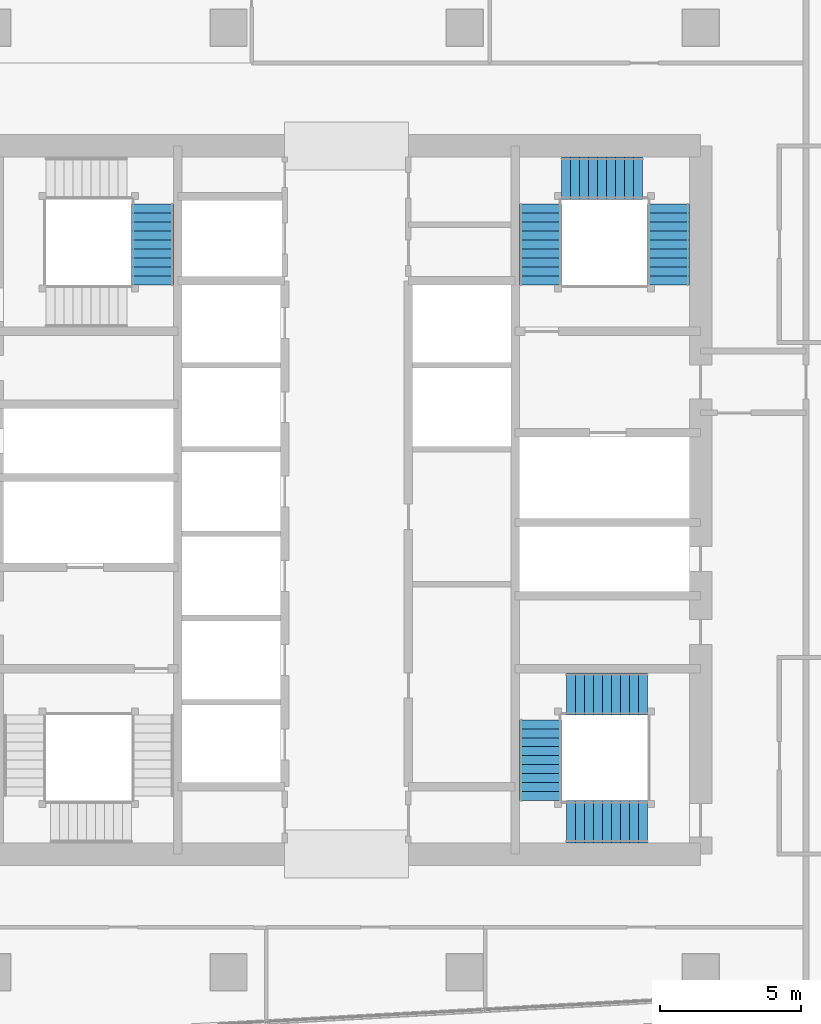
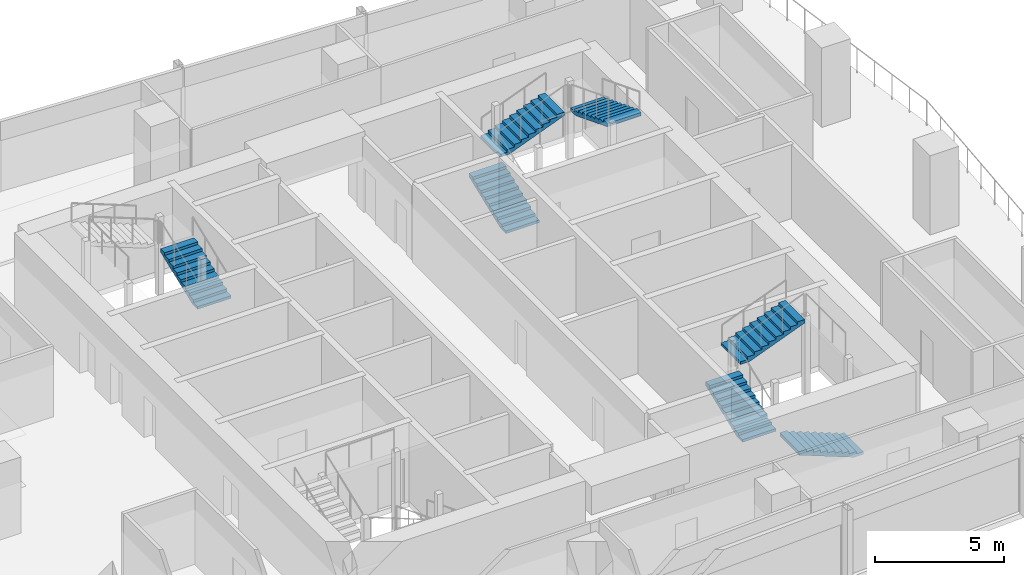
# One storey, part 22 of 26: 7 stair flights, 3 elements without a shape of their own.
"""IFC4 building model written with IfcOpenShell, lengths in metres."""

from ifc_helpers import new_model, si_unit, direction, frame, origin, place, context, subcontext, project, spatial, polyline, outline, extrude, material, type_object, element, aggregate, save


model = new_model("IFC4")

# Units and contexts
model_context = context("Model", 3, precision=1e-05, world=origin(), true_north=direction((0.0, 1.0)))
body_context = subcontext(model_context, "Body", "Model", "MODEL_VIEW")
ifc_project = project(units=[si_unit("LENGTHUNIT", "METRE"), si_unit("AREAUNIT", "SQUARE_METRE"), si_unit("VOLUMEUNIT", "CUBIC_METRE"), si_unit("PLANEANGLEUNIT", "RADIAN"), si_unit("MASSUNIT", "GRAM", prefix="KILO")], contexts=[model_context])

# Site, building, storey
site_placement = place(None, origin())
site = spatial("IfcSite", under=ifc_project, at=site_placement, CompositionType="ELEMENT")
building_placement = place(site_placement, origin())
building = spatial("IfcBuilding", under=site, at=building_placement, Name="Rekha Terrace Tower", CompositionType="ELEMENT")
storey_placement = place(building_placement, frame((0.0, 0.0, 283.85009765625)))
storey = spatial("IfcBuildingStorey", under=building, at=storey_placement, Name="L72", CompositionType="ELEMENT", Elevation=283.85009765625)

# Stair, stair flights
ifc_material = material(Name="Concrete M40", Category="concrete")
stair_type = type_object("IfcStairType", Name="ST30 stair, 30 risers of 125, going 320, 1500 wide flights, 3 flights", PredefinedType="HALF_TURN_STAIR", material=ifc_material)
stair_1_placement = place(storey_placement, origin())
stair_1 = element("IfcStair", 1, at=stair_1_placement, inside=storey, type_object=stair_type, Name="Stair ST2 L72 to L73", PredefinedType="HALF_TURN_STAIR")
stair_flight_type = type_object("IfcStairFlightType", Name="SF10 stair flight, 10 risers of 125, going 320, 1500 wide", PredefinedType="STRAIGHT", material=ifc_material)
stair_flight_1_placement = place(storey_placement, frame((44.699951171875, 41.25, 0.0), z_axis=(0.0, 0.0, 1.0), x_axis=(0.0, 1.0, 0.0)))
stair_flight_1 = element("IfcStairFlight", 2, at=stair_flight_1_placement, type_object=stair_flight_type, Name="ST2 flight 1", NumberOfRisers=10, NumberOfTreads=9, PredefinedType="STRAIGHT", RiserHeight=0.125, TreadLength=0.32, context=body_context, shape_type="SweptSolid", body=[
    extrude(outline(polyline([(0.0, 0.0), (0.0, 0.125), (0.320068359375, 0.125), (0.320068359375, 0.25), (0.639892578125, 0.25), (0.639892578125, 0.375), (0.9599609375, 0.375), (0.9599609375, 0.5), (1.280029296875, 0.5), (1.280029296875, 0.625), (1.60009765625, 0.625), (1.60009765625, 0.75), (1.919921875, 0.75), (1.919921875, 0.875), (2.239990234375, 0.875), (2.239990234375, 1.0), (2.56005859375, 1.0), (2.56005859375, 1.125), (2.8798828125, 1.125), (2.8798828125, 1.25), (2.8798828125, 0.964111328125), (0.412109375, 0.0), (0.0, 0.0)])), frame((0.0, 0.75, 0.0), z_axis=(0.0, -1.0, 0.0), x_axis=(1.0, 0.0, 0.0)), (0.0, 0.0, 1.0), 1.5),
])
stair_flight_2_placement = place(storey_placement, frame((45.449951171875, 45.050048828125, 1.25), z_axis=(0.0, 0.0, 1.0), x_axis=(1.0, 0.0, 0.0)))
stair_flight_2 = element("IfcStairFlight", 3, at=stair_flight_2_placement, type_object=stair_flight_type, Name="ST2 flight 2", NumberOfRisers=10, NumberOfTreads=9, PredefinedType="STRAIGHT", RiserHeight=0.125, TreadLength=0.32, context=body_context, shape_type="SweptSolid", body=[
    extrude(outline(polyline([(0.0, 0.0), (0.0, 0.125), (0.320068359375, 0.125), (0.320068359375, 0.25), (0.639892578125, 0.25), (0.639892578125, 0.375), (0.9599609375, 0.375), (0.9599609375, 0.5), (1.280029296875, 0.5), (1.280029296875, 0.625), (1.60009765625, 0.625), (1.60009765625, 0.75), (1.919921875, 0.75), (1.919921875, 0.875), (2.239990234375, 0.875), (2.239990234375, 1.0), (2.56005859375, 1.0), (2.56005859375, 1.125), (2.8798828125, 1.125), (2.8798828125, 1.25), (2.8798828125, 0.964111328125), (0.412109375, 0.0), (0.0, 0.0)])), frame((0.0, 0.75, 0.0), z_axis=(0.0, -1.0, 0.0), x_axis=(1.0, 0.0, 0.0)), (0.0, 0.0, 1.0), 1.5),
])
stair_flight_3_placement = place(storey_placement, frame((49.25, 44.1298828125, 2.5), z_axis=(0.0, 0.0, 1.0), x_axis=(0.0, -1.0, 0.0)))
stair_flight_3 = element("IfcStairFlight", 4, at=stair_flight_3_placement, type_object=stair_flight_type, Name="ST2 flight 3", NumberOfRisers=10, NumberOfTreads=9, PredefinedType="STRAIGHT", RiserHeight=0.125, TreadLength=0.32, context=body_context, shape_type="SweptSolid", body=[
    extrude(outline(polyline([(0.0, 0.0), (0.0, 0.125), (0.320068359375, 0.125), (0.320068359375, 0.25), (0.639892578125, 0.25), (0.639892578125, 0.375), (0.9599609375, 0.375), (0.9599609375, 0.5), (1.280029296875, 0.5), (1.280029296875, 0.625), (1.60009765625, 0.625), (1.60009765625, 0.75), (1.919921875, 0.75), (1.919921875, 0.875), (2.239990234375, 0.875), (2.239990234375, 1.0), (2.56005859375, 1.0), (2.56005859375, 1.125), (2.8798828125, 1.125), (2.8798828125, 1.25), (2.8798828125, 0.964111328125), (0.412109375, 0.0), (0.0, 0.0)])), frame((0.0, 0.75, 0.0), z_axis=(0.0, -1.0, 0.0), x_axis=(1.0, 0.0, 0.0)), (0.0, 0.0, 1.0), 1.5),
])
aggregate(stair_1, [stair_flight_1, stair_flight_2, stair_flight_3])

stair_2_placement = place(storey_placement, origin())
stair_2 = element("IfcStair", 5, at=stair_2_placement, inside=storey, type_object=stair_type, Name="Stair ST3 L72 to L73", PredefinedType="HALF_TURN_STAIR")
stair_flight_4_placement = place(storey_placement, frame((48.5, 22.14990234375, 0.0), z_axis=(0.0, 0.0, 1.0), x_axis=(-1.0, 0.0, 0.0)))
stair_flight_4 = element("IfcStairFlight", 6, at=stair_flight_4_placement, type_object=stair_flight_type, Name="ST3 flight 1", NumberOfRisers=10, NumberOfTreads=9, PredefinedType="STRAIGHT", RiserHeight=0.125, TreadLength=0.32, context=body_context, shape_type="SweptSolid", body=[
    extrude(outline(polyline([(0.0, 0.0), (0.0, 0.125), (0.320068359375, 0.125), (0.320068359375, 0.25), (0.639892578125, 0.25), (0.639892578125, 0.375), (0.9599609375, 0.375), (0.9599609375, 0.5), (1.280029296875, 0.5), (1.280029296875, 0.625), (1.60009765625, 0.625), (1.60009765625, 0.75), (1.919921875, 0.75), (1.919921875, 0.875), (2.239990234375, 0.875), (2.239990234375, 1.0), (2.56005859375, 1.0), (2.56005859375, 1.125), (2.8798828125, 1.125), (2.8798828125, 1.25), (2.8798828125, 0.964111328125), (0.412109375, 0.0), (0.0, 0.0)])), frame((0.0, 0.75, 0.0), z_axis=(0.0, -1.0, 0.0), x_axis=(1.0, 0.0, 0.0)), (0.0, 0.0, 1.0), 1.5),
])
stair_flight_5_placement = place(storey_placement, frame((44.699951171875, 22.89990234375, 1.25), z_axis=(0.0, 0.0, 1.0), x_axis=(0.0, 1.0, 0.0)))
stair_flight_5 = element("IfcStairFlight", 7, at=stair_flight_5_placement, type_object=stair_flight_type, Name="ST3 flight 2", NumberOfRisers=10, NumberOfTreads=9, PredefinedType="STRAIGHT", RiserHeight=0.125, TreadLength=0.32, context=body_context, shape_type="SweptSolid", body=[
    extrude(outline(polyline([(0.0, 0.0), (0.0, 0.125), (0.320068359375, 0.125), (0.320068359375, 0.25), (0.639892578125, 0.25), (0.639892578125, 0.375), (0.9599609375, 0.375), (0.9599609375, 0.5), (1.280029296875, 0.5), (1.280029296875, 0.625), (1.60009765625, 0.625), (1.60009765625, 0.75), (1.919921875, 0.75), (1.919921875, 0.875), (2.239990234375, 0.875), (2.239990234375, 1.0), (2.56005859375, 1.0), (2.56005859375, 1.125), (2.8798828125, 1.125), (2.8798828125, 1.25), (2.8798828125, 0.964111328125), (0.412109375, 0.0), (0.0, 0.0)])), frame((0.0, 0.75, 0.0), z_axis=(0.0, -1.0, 0.0), x_axis=(1.0, 0.0, 0.0)), (0.0, 0.0, 1.0), 1.5),
])
stair_flight_6_placement = place(storey_placement, frame((45.6201171875, 26.699951171875, 2.5), z_axis=(0.0, 0.0, 1.0), x_axis=(1.0, 0.0, 0.0)))
stair_flight_6 = element("IfcStairFlight", 8, at=stair_flight_6_placement, type_object=stair_flight_type, Name="ST3 flight 3", NumberOfRisers=10, NumberOfTreads=9, PredefinedType="STRAIGHT", RiserHeight=0.125, TreadLength=0.32, context=body_context, shape_type="SweptSolid", body=[
    extrude(outline(polyline([(0.0, 0.0), (0.0, 0.125), (0.320068359375, 0.125), (0.320068359375, 0.25), (0.639892578125, 0.25), (0.639892578125, 0.375), (0.9599609375, 0.375), (0.9599609375, 0.5), (1.280029296875, 0.5), (1.280029296875, 0.625), (1.60009765625, 0.625), (1.60009765625, 0.75), (1.919921875, 0.75), (1.919921875, 0.875), (2.239990234375, 0.875), (2.239990234375, 1.0), (2.56005859375, 1.0), (2.56005859375, 1.125), (2.8798828125, 1.125), (2.8798828125, 1.25), (2.8798828125, 0.964111328125), (0.412109375, 0.0), (0.0, 0.0)])), frame((0.0, 0.75, 0.0), z_axis=(0.0, -1.0, 0.0), x_axis=(1.0, 0.0, 0.0)), (0.0, 0.0, 1.0), 1.5),
])
aggregate(stair_2, [stair_flight_4, stair_flight_5, stair_flight_6])

# Stair, stair flight
stair_3_placement = place(storey_placement, origin())
stair_3 = element("IfcStair", 9, at=stair_3_placement, inside=storey, type_object=stair_type, Name="Stair ST4 L72 to L73", PredefinedType="HALF_TURN_STAIR")
stair_flight_7_placement = place(storey_placement, frame((30.89990234375, 41.25, 1.25), z_axis=(0.0, 0.0, 1.0), x_axis=(0.0, 1.0, 0.0)))
stair_flight_7 = element("IfcStairFlight", 10, at=stair_flight_7_placement, type_object=stair_flight_type, Name="ST4 flight 2", NumberOfRisers=10, NumberOfTreads=9, PredefinedType="STRAIGHT", RiserHeight=0.125, TreadLength=0.32, context=body_context, shape_type="SweptSolid", body=[
    extrude(outline(polyline([(0.0, 0.0), (0.0, 0.125), (0.320068359375, 0.125), (0.320068359375, 0.25), (0.639892578125, 0.25), (0.639892578125, 0.375), (0.9599609375, 0.375), (0.9599609375, 0.5), (1.280029296875, 0.5), (1.280029296875, 0.625), (1.60009765625, 0.625), (1.60009765625, 0.75), (1.919921875, 0.75), (1.919921875, 0.875), (2.239990234375, 0.875), (2.239990234375, 1.0), (2.56005859375, 1.0), (2.56005859375, 1.125), (2.8798828125, 1.125), (2.8798828125, 1.25), (2.8798828125, 0.964111328125), (0.412109375, 0.0), (0.0, 0.0)])), frame((0.0, 0.75, 0.0), z_axis=(0.0, -1.0, 0.0), x_axis=(1.0, 0.0, 0.0)), (0.0, 0.0, 1.0), 1.5),
])
aggregate(stair_3, [stair_flight_7])

save(model, "model.ifc")
